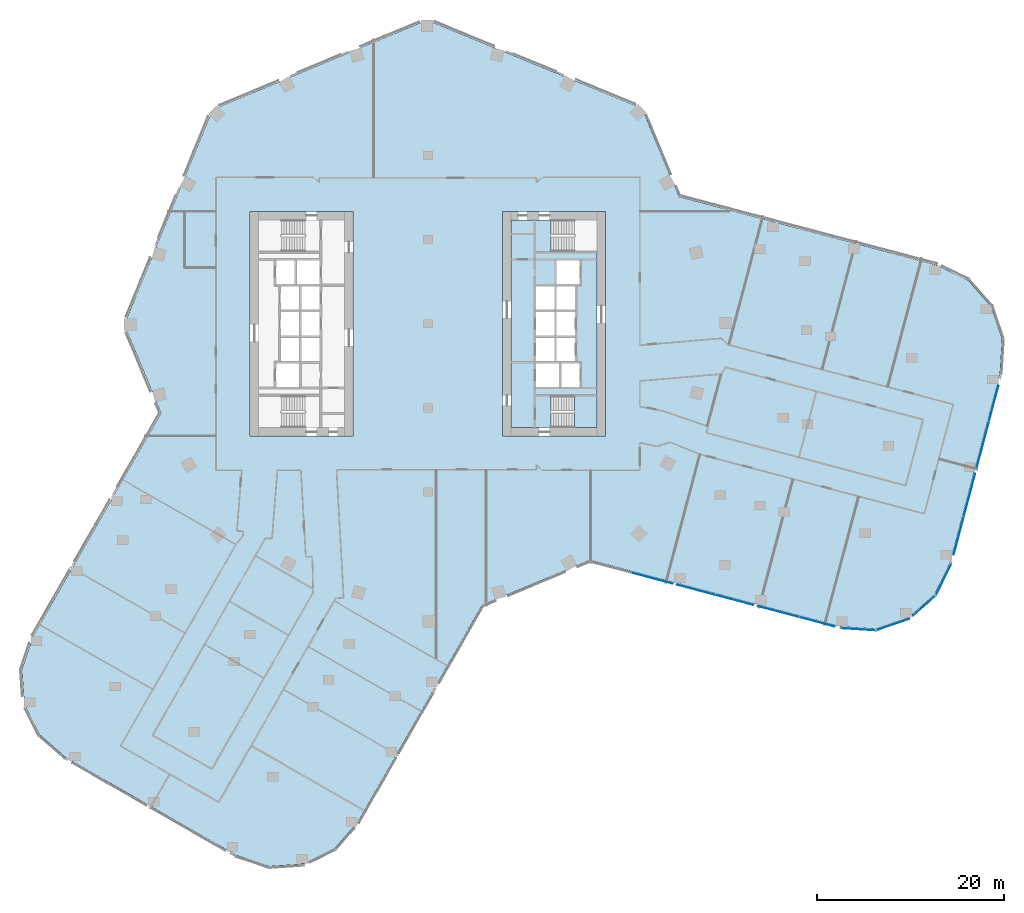
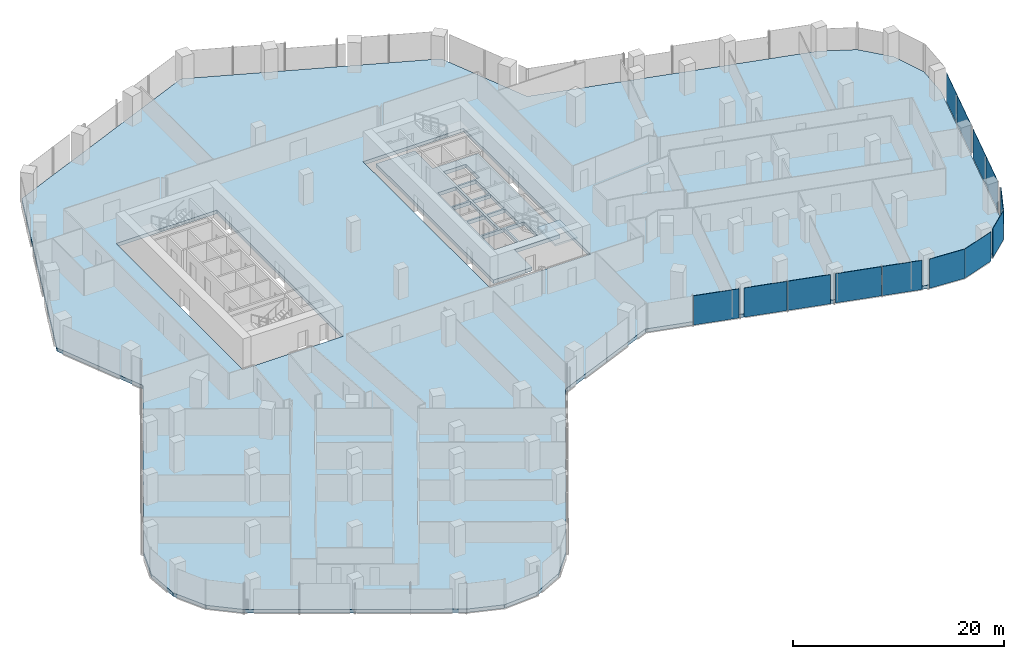
# One storey, part 22 of 35: 13 plates, 3 slabs, 7 elements without a shape of their own.
"""IFC4 building model written with IfcOpenShell, lengths in metres."""

from ifc_helpers import new_model, si_unit, direction, frame, origin, origin_2d, place, context, subcontext, project, spatial, polyline, rectangle, outline, extrude, material, layer, layer_set, type_object, element, aggregate, save


model = new_model("IFC4")

# Units and contexts
model_context = context("Model", 3, precision=1e-05, world=origin(), true_north=direction((0.0, 1.0)))
body_context = subcontext(model_context, "Body", "Model", "MODEL_VIEW")
ifc_project = project(units=[si_unit("LENGTHUNIT", "METRE"), si_unit("AREAUNIT", "SQUARE_METRE"), si_unit("VOLUMEUNIT", "CUBIC_METRE"), si_unit("PLANEANGLEUNIT", "RADIAN"), si_unit("MASSUNIT", "GRAM", prefix="KILO")], contexts=[model_context])

# Site, building, storey
site_placement = place(None, origin())
site = spatial("IfcSite", under=ifc_project, at=site_placement, CompositionType="ELEMENT")
building_placement = place(site_placement, origin())
building = spatial("IfcBuilding", under=site, at=building_placement, Name="Orlundy Tower", CompositionType="ELEMENT")
storey_placement = place(building_placement, frame((0.0, 0.0, 116.199951171875)))
storey = spatial("IfcBuildingStorey", under=building, at=storey_placement, Name="L29", CompositionType="ELEMENT", Elevation=116.199951171875)

# Curtain wall, plates
ifc_material_1 = material(Name="Aluminium bronze anodised", Category="aluminium")
curtain_wall_type = type_object("IfcCurtainWallType", Name="CW1 wall", PredefinedType="NOTDEFINED", material=ifc_material_1)
curtain_wall_1_placement = place(storey_placement, origin())
curtain_wall_1 = element("IfcCurtainWall", 1, at=curtain_wall_1_placement, inside=storey, type_object=curtain_wall_type, Name="CW1 run 00", PredefinedType="NOTDEFINED")
ifc_material_2 = material(Name="Tinted glass", Category="glass")
ifc_layer_1 = layer(ifc_material_2, 0.031982421875)
ifc_layer_set_1 = layer_set([ifc_layer_1], Name="CW1 glass panel 32")
plate_type = type_object("IfcPlateType", Name="CW1 glass panel 32", PredefinedType="CURTAIN_PANEL", material=ifc_layer_set_1)
plate_1_placement = place(storey_placement, frame((41.577392578125, -31.870361328125, -0.27978515625), z_axis=(0.0, 0.0, 1.0), x_axis=(-0.966673796654, 0.256011270968, 0.0)))
plate_1 = element("IfcPlate", 2, at=plate_1_placement, type_object=plate_type, Name="CW1 panel", PredefinedType="CURTAIN_PANEL", context=body_context, shape_type="SweptSolid", body=[
    extrude(rectangle(XDim=3.91357421875, YDim=0.031982421875, at=origin_2d()), origin(), (0.0, 0.0, 1.0), 3.3798828125),
])
plate_2_placement = place(storey_placement, frame((37.4482421875, -30.77685546875, -0.27978515625), z_axis=(0.0, 0.0, 1.0), x_axis=(-0.966673796654, 0.256011270968, 0.0)))
plate_2 = element("IfcPlate", 3, at=plate_2_placement, type_object=plate_type, Name="CW1 panel", PredefinedType="CURTAIN_PANEL", context=body_context, shape_type="SweptSolid", body=[
    extrude(rectangle(XDim=4.529541015625, YDim=0.031982421875, at=origin_2d()), origin(), (0.0, 0.0, 1.0), 3.3798828125),
])
plate_3_placement = place(storey_placement, frame((32.767578125, -29.537109375, -0.27978515625), z_axis=(0.0, 0.0, 1.0), x_axis=(-0.966673796654, 0.256011270968, 0.0)))
plate_3 = element("IfcPlate", 4, at=plate_3_placement, type_object=plate_type, Name="CW1 panel", PredefinedType="CURTAIN_PANEL", context=body_context, shape_type="SweptSolid", body=[
    extrude(rectangle(XDim=4.208984375, YDim=0.031982421875, at=origin_2d()), origin(), (0.0, 0.0, 1.0), 3.3798828125),
])
plate_4_placement = place(storey_placement, frame((28.638916015625, -28.44384765625, -0.27978515625), z_axis=(0.0, 0.0, 1.0), x_axis=(-0.966673796654, 0.256011270968, 0.0)))
plate_4 = element("IfcPlate", 5, at=plate_4_placement, type_object=plate_type, Name="CW1 panel", PredefinedType="CURTAIN_PANEL", context=body_context, shape_type="SweptSolid", body=[
    extrude(rectangle(XDim=4.232666015625, YDim=0.031982421875, at=origin_2d()), origin(), (0.0, 0.0, 1.0), 3.3798828125),
])
plate_5_placement = place(storey_placement, frame((23.957275390625, -27.203857421875, -0.27978515625), z_axis=(0.0, 0.0, 1.0), x_axis=(-0.966673796654, 0.256011270968, 0.0)))
plate_5 = element("IfcPlate", 6, at=plate_5_placement, type_object=plate_type, Name="CW1 panel", PredefinedType="CURTAIN_PANEL", context=body_context, shape_type="SweptSolid", body=[
    extrude(rectangle(XDim=4.503662109375, YDim=0.031982421875, at=origin_2d()), origin(), (0.0, 0.0, 1.0), 3.3798828125),
])
aggregate(curtain_wall_1, [plate_1, plate_2, plate_3, plate_4, plate_5])

curtain_wall_2_placement = place(storey_placement, origin())
curtain_wall_2 = element("IfcCurtainWall", 7, at=curtain_wall_2_placement, inside=storey, type_object=curtain_wall_type, Name="CW1 run 023", PredefinedType="NOTDEFINED")
plate_6_placement = place(storey_placement, frame((60.492431640625, -8.54443359375, -0.27978515625), z_axis=(0.0, 0.0, 1.0), x_axis=(-0.255990719194, -0.966679239296, 0.0)))
plate_6 = element("IfcPlate", 8, at=plate_6_placement, type_object=plate_type, Name="CW1 panel", PredefinedType="CURTAIN_PANEL", context=body_context, shape_type="SweptSolid", body=[
    extrude(rectangle(XDim=3.903076171875, YDim=0.031982421875, at=origin_2d()), origin(), (0.0, 0.0, 1.0), 3.3798828125),
])
plate_7_placement = place(storey_placement, frame((59.342041015625, -12.888916015625, -0.27978515625), z_axis=(0.0, 0.0, 1.0), x_axis=(-0.255990719194, -0.966679239296, 0.0)))
plate_7 = element("IfcPlate", 9, at=plate_7_placement, type_object=plate_type, Name="CW1 panel", PredefinedType="CURTAIN_PANEL", context=body_context, shape_type="SweptSolid", body=[
    extrude(rectangle(XDim=4.985107421875, YDim=0.031982421875, at=origin_2d()), origin(), (0.0, 0.0, 1.0), 3.3798828125),
])
plate_8_placement = place(storey_placement, frame((57.906982421875, -18.308349609375, -0.27978515625), z_axis=(0.0, 0.0, 1.0), x_axis=(-0.255990719194, -0.966679239296, 0.0)))
plate_8 = element("IfcPlate", 10, at=plate_8_placement, type_object=plate_type, Name="CW1 panel", PredefinedType="CURTAIN_PANEL", context=body_context, shape_type="SweptSolid", body=[
    extrude(rectangle(XDim=4.703369140625, YDim=0.031982421875, at=origin_2d()), origin(), (0.0, 0.0, 1.0), 3.3798828125),
])
plate_9_placement = place(storey_placement, frame((56.756591796875, -22.65234375, -0.27978515625), z_axis=(0.0, 0.0, 1.0), x_axis=(-0.255990719194, -0.966679239296, 0.0)))
plate_9 = element("IfcPlate", 11, at=plate_9_placement, type_object=plate_type, Name="CW1 panel", PredefinedType="CURTAIN_PANEL", context=body_context, shape_type="SweptSolid", body=[
    extrude(rectangle(XDim=4.184326171875, YDim=0.031982421875, at=origin_2d()), origin(), (0.0, 0.0, 1.0), 3.3798828125),
])
aggregate(curtain_wall_2, [plate_6, plate_7, plate_8, plate_9])

# Curtain wall, plate
curtain_wall_3_placement = place(storey_placement, origin())
curtain_wall_3 = element("IfcCurtainWall", 12, at=curtain_wall_3_placement, inside=storey, type_object=curtain_wall_type, Name="CW1 run 024", PredefinedType="NOTDEFINED")
plate_10_placement = place(storey_placement, frame((55.119140625, -27.394287109375, -0.27978515625), z_axis=(0.0, 0.0, 1.0), x_axis=(-0.439751990689, -0.898119249702, 0.0)))
plate_10 = element("IfcPlate", 13, at=plate_10_placement, type_object=plate_type, Name="CW1 panel", PredefinedType="CURTAIN_PANEL", context=body_context, shape_type="SweptSolid", body=[
    extrude(rectangle(XDim=3.730224609375, YDim=0.031982421875, at=origin_2d()), origin(), (0.0, 0.0, 1.0), 3.3798828125),
])
aggregate(curtain_wall_3, [plate_10])

curtain_wall_4_placement = place(storey_placement, origin())
curtain_wall_4 = element("IfcCurtainWall", 14, at=curtain_wall_4_placement, inside=storey, type_object=curtain_wall_type, Name="CW1 run 025", PredefinedType="NOTDEFINED")
plate_11_placement = place(storey_placement, frame((53.092041015625, -30.134033203125, -0.27978515625), z_axis=(0.0, 0.0, 1.0), x_axis=(-0.749963804957, -0.661478866824, 0.0)))
plate_11 = element("IfcPlate", 15, at=plate_11_placement, type_object=plate_type, Name="CW1 panel", PredefinedType="CURTAIN_PANEL", context=body_context, shape_type="SweptSolid", body=[
    extrude(rectangle(XDim=3.21875, YDim=0.031982421875, at=origin_2d()), origin(), (0.0, 0.0, 1.0), 3.3798828125),
])
aggregate(curtain_wall_4, [plate_11])

curtain_wall_5_placement = place(storey_placement, origin())
curtain_wall_5 = element("IfcCurtainWall", 16, at=curtain_wall_5_placement, inside=storey, type_object=curtain_wall_type, Name="CW1 run 026", PredefinedType="NOTDEFINED")
plate_12_placement = place(storey_placement, frame((49.686279296875, -32.176025390625, -0.27978515625), z_axis=(0.0, 0.0, 1.0), x_axis=(-0.945950675878, -0.32431052836, 0.0)))
plate_12 = element("IfcPlate", 17, at=plate_12_placement, type_object=plate_type, Name="CW1 panel", PredefinedType="CURTAIN_PANEL", context=body_context, shape_type="SweptSolid", body=[
    extrude(rectangle(XDim=3.771484375, YDim=0.031982421875, at=origin_2d()), origin(), (0.0, 0.0, 1.0), 3.3798828125),
])
aggregate(curtain_wall_5, [plate_12])

curtain_wall_6_placement = place(storey_placement, origin())
curtain_wall_6 = element("IfcCurtainWall", 18, at=curtain_wall_6_placement, inside=storey, type_object=curtain_wall_type, Name="CW1 run 027", PredefinedType="NOTDEFINED")
plate_13_placement = place(storey_placement, frame((46.04052734375, -32.6708984375, -0.27978515625), z_axis=(0.0, 0.0, 1.0), x_axis=(-0.998039963249, 0.06257980311, 0.0)))
plate_13 = element("IfcPlate", 19, at=plate_13_placement, type_object=plate_type, Name="CW1 panel", PredefinedType="CURTAIN_PANEL", context=body_context, shape_type="SweptSolid", body=[
    extrude(rectangle(XDim=3.73095703125, YDim=0.031982421875, at=origin_2d()), origin(), (0.0, 0.0, 1.0), 3.3798828125),
])
aggregate(curtain_wall_6, [plate_13])

# Slab
ifc_material_3 = material(Name="Concrete C50/60", Category="concrete")
ifc_layer_2 = layer(ifc_material_3, 0.409912109375)
ifc_layer_set_2 = layer_set([ifc_layer_2], Name="Core Floor Slab 410")
slab_type_1 = type_object("IfcSlabType", Name="Core Floor Slab 410", PredefinedType="FLOOR", material=ifc_layer_set_2)
slab_1_placement = place(storey_placement, frame((0.0, 0.0, -0.409912109375)))
element("IfcSlab", 20, at=slab_1_placement, inside=storey, type_object=slab_type_1, Name="Core floor E22", PredefinedType="FLOOR", context=body_context, shape_type="SweptSolid", body=[
    extrude(outline(polyline([(13.14501953125, -7.75), (13.14501953125, -11.10009765625), (8.89990234375, -11.10009765625), (8.89990234375, 11.10009765625), (13.14501953125, 11.10009765625), (13.14501953125, 7.75), (18.10009765625, 7.75), (18.10009765625, -7.75), (13.14501953125, -7.75)]), holes=[polyline([(16.239990234375, 6.77490234375), (13.739990234375, 6.77490234375), (13.739990234375, 4.22509765625), (16.239990234375, 4.22509765625), (16.239990234375, 6.77490234375)]), polyline([(13.5400390625, 1.47509765625), (13.5400390625, 4.02490234375), (11.5400390625, 4.02490234375), (11.5400390625, 1.47509765625), (13.5400390625, 1.47509765625)]), polyline([(13.739990234375, 1.47509765625), (15.739990234375, 1.47509765625), (15.739990234375, 4.02490234375), (13.739990234375, 4.02490234375), (13.739990234375, 1.47509765625)]), polyline([(11.5400390625, 1.27490234375), (11.5400390625, -1.27490234375), (13.5400390625, -1.27490234375), (13.5400390625, 1.27490234375), (11.5400390625, 1.27490234375)]), polyline([(15.739990234375, 1.27490234375), (13.739990234375, 1.27490234375), (13.739990234375, -1.27490234375), (15.739990234375, -1.27490234375), (15.739990234375, 1.27490234375)]), polyline([(13.5400390625, -4.02490234375), (13.5400390625, -1.47509765625), (11.5400390625, -1.47509765625), (11.5400390625, -4.02490234375), (13.5400390625, -4.02490234375)]), polyline([(13.739990234375, -4.02490234375), (15.739990234375, -4.02490234375), (15.739990234375, -1.47509765625), (13.739990234375, -1.47509765625), (13.739990234375, -4.02490234375)]), polyline([(11.5400390625, -4.22509765625), (11.5400390625, -6.77490234375), (14.0400390625, -6.77490234375), (14.0400390625, -4.22509765625), (11.5400390625, -4.22509765625)]), polyline([(16.239990234375, -4.22509765625), (14.239990234375, -4.22509765625), (14.239990234375, -6.77490234375), (16.239990234375, -6.77490234375), (16.239990234375, -4.22509765625)])]), origin(), (0.0, 0.0, 1.0), 0.409912109375),
])

# Stair, slab
ifc_material_4 = material(Name="Concrete C50/60", Category="concrete")
stair_type = type_object("IfcStairType", Name="Exit Stair 20 risers", PredefinedType="HALF_TURN_STAIR", material=ifc_material_4)
stair_placement = place(storey_placement, origin())
stair = element("IfcStair", 21, at=stair_placement, inside=storey, type_object=stair_type, Name="L29 Exit Stair ST-E1", PredefinedType="HALF_TURN_STAIR")
ifc_material_5 = material(Name="Concrete C50/60", Category="concrete")
ifc_layer_3 = layer(ifc_material_5, 0.199951171875)
ifc_layer_set_3 = layer_set([ifc_layer_3], Name="Exit Stair Landing")
slab_type_2 = type_object("IfcSlabType", Name="Exit Stair Landing", PredefinedType="LANDING", material=ifc_layer_set_3)
slab_2_placement = place(storey_placement, frame((0.0, 0.0, 1.550048828125)))
slab_2 = element("IfcSlab", 22, at=slab_2_placement, type_object=slab_type_2, Name="ST-E1 landing 1", PredefinedType="LANDING", context=body_context, shape_type="SweptSolid", body=[
    extrude(outline(polyline([(15.659912109375, -11.10009765625), (18.10009765625, -11.10009765625), (18.10009765625, -7.75), (15.659912109375, -7.75), (15.659912109375, -11.10009765625)])), origin(), (0.0, 0.0, 1.0), 0.199951171875),
])
aggregate(stair, [slab_2])

# Slab
ifc_material_6 = material(Name="Concrete C45/55", Category="concrete")
ifc_layer_4 = layer(ifc_material_6, 0.39990234375)
ifc_layer_set_4 = layer_set([ifc_layer_4], Name="FLOOR SLAB THICK 400 C45/55")
slab_type_3 = type_object("IfcSlabType", Name="FLOOR SLAB THICK 400 C45/55", PredefinedType="FLOOR", material=ifc_layer_set_4)
slab_3_placement = place(storey_placement, frame((0.0, 0.0, -0.39990234375)))
element("IfcSlab", 23, at=slab_3_placement, inside=storey, type_object=slab_type_3, Name="Floor slab L29", PredefinedType="FLOOR", context=body_context, shape_type="SweptSolid", body=[
    extrude(outline(polyline([(17.322021484375, -25.277099609375), (5.800048828125, -30.089111328125), (-7.52392578125, -53.322998046875), (-9.9599609375, -56.116943359375), (-13.280029296875, -57.76611328125), (-16.97802734375, -58.02001953125), (-20.490966796875, -56.837890625), (-38.7080078125, -46.39111328125), (-41.501953125, -43.955078125), (-43.152099609375, -40.635986328125), (-43.405029296875, -36.93798828125), (-42.222900390625, -33.424072265625), (-28.527099609375, -9.541015625), (-32.471923828125, -0.093994140625), (-23.028076171875, 22.89404296875), (-0.093994140625, 32.471923828125), (22.89404296875, 23.028076171875), (26.839111328125, 13.58203125), (54.4208984375, 6.277099609375), (57.75, 4.64697265625), (60.201904296875, 1.867919921875), (61.404052734375, -1.638916015625), (61.172119140625, -5.337890625), (55.7958984375, -25.638916015625), (54.166015625, -28.968017578125), (51.385986328125, -31.419921875), (47.8798828125, -32.6220703125), (44.179931640625, -32.389892578125), (17.322021484375, -25.277099609375)]), holes=[polyline([(-8.0, -12.0), (-8.0, 12.0), (-19.0, 12.0), (-19.0, -12.0), (-8.0, -12.0)]), polyline([(19.0, -12.0), (19.0, 12.0), (8.0, 12.0), (8.0, -12.0), (19.0, -12.0)])]), origin(), (0.0, 0.0, 1.0), 0.39990234375),
])

save(model, "model.ifc")
